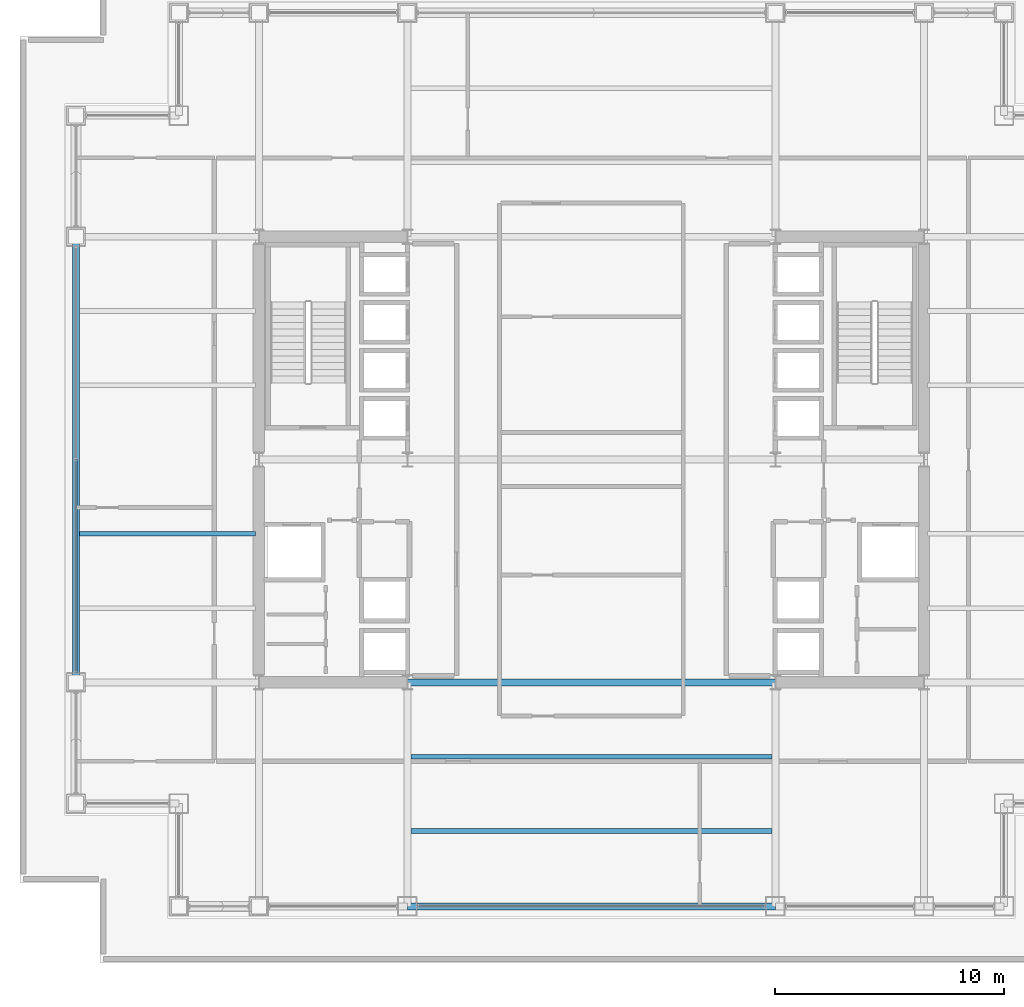
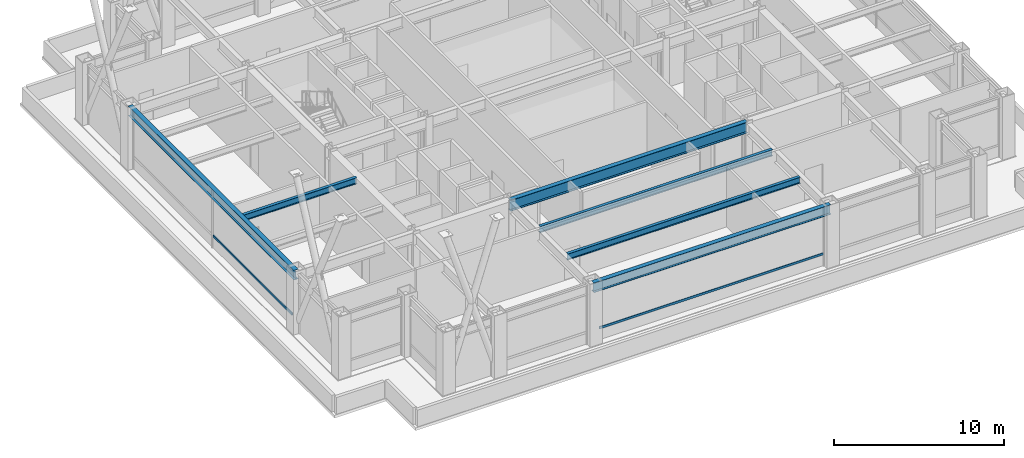
# One storey, part 7 of 32: 6 beams, 2 members, 2 elements without a shape of their own.
"""IFC4 building model written with IfcOpenShell, lengths in metres."""

from ifc_helpers import new_model, si_unit, direction, frame, origin, origin_2d, place, context, subcontext, project, spatial, hollow_rectangle, i_section, extrude, material, layer, layer_set, material_profile, profile_set, type_object, element, aggregate, save


model = new_model("IFC4")

# Units and contexts
model_context = context("Model", 3, precision=1e-05, world=origin(), true_north=direction((0.0, 1.0)))
body_context = subcontext(model_context, "Body", "Model", "MODEL_VIEW")
ifc_project = project(units=[si_unit("LENGTHUNIT", "METRE"), si_unit("AREAUNIT", "SQUARE_METRE"), si_unit("VOLUMEUNIT", "CUBIC_METRE"), si_unit("PLANEANGLEUNIT", "RADIAN"), si_unit("MASSUNIT", "GRAM", prefix="KILO")], contexts=[model_context])

# Site, building, storey
site_placement = place(None, origin())
site = spatial("IfcSite", under=ifc_project, at=site_placement, CompositionType="ELEMENT")
building_placement = place(site_placement, origin())
building = spatial("IfcBuilding", under=site, at=building_placement, Name="Brelmoor Portico Tower", CompositionType="ELEMENT")
storey_placement = place(building_placement, frame((0.0, 0.0, 87.300048828125)))
storey = spatial("IfcBuildingStorey", under=building, at=storey_placement, Name="L22", CompositionType="ELEMENT", Elevation=87.300048828125)

# Beams
ifc_material_1 = material(Name="Steel Q355B", Category="steel")
ifc_material_profile_1 = material_profile(ifc_material_1, i_section(OverallWidth=0.199951171875, OverallDepth=0.449951171875, WebThickness=0.009033203125, FlangeThickness=0.013916015625, at=origin_2d()), Name="HN 450x200x9x14")
ifc_profile_set_1 = profile_set([ifc_material_profile_1], Name="Steel Q355B")
beam_type_1 = type_object("IfcBeamType", Name="BM-JS-450", PredefinedType="JOIST", material=ifc_profile_set_1)
for number, where, z_axis, x_axis, name in (
    (1, (-7.89990234375, -16.25, 4.074951171875), (1.0, 0.0, 0.0), (0.0, 1.0, 0.0), "L22 Secondary Composite Joist JS-C01"),
    (2, (-7.89990234375, -13.0, 4.074951171875), (1.0, 0.0, 0.0), (0.0, 1.0, 0.0), "L22 Secondary Composite Joist JS-C02"),
):
    element("IfcBeam", number, at=place(storey_placement, frame(where, z_axis=z_axis, x_axis=x_axis)), inside=storey, type_object=beam_type_1, Name=name, PredefinedType="JOIST", context=body_context, shape_type="SweptSolid", body=[
        extrude(i_section(OverallWidth=0.199951171875, OverallDepth=0.449951171875, WebThickness=0.009033203125, FlangeThickness=0.013916015625, at=origin_2d()), origin(), (0.0, 0.0, 1.0), 15.7998046875),
    ])
beam_1_placement = place(storey_placement, frame((-22.39990234375, -3.25, 4.074951171875), z_axis=(1.0, 0.0, 0.0), x_axis=(0.0, 1.0, 0.0)))
element("IfcBeam", 3, at=beam_1_placement, inside=storey, type_object=beam_type_1, Name="L22 Secondary Wing Joist JS-W06", PredefinedType="JOIST", context=body_context, shape_type="SweptSolid", body=[
    extrude(i_section(OverallWidth=0.199951171875, OverallDepth=0.449951171875, WebThickness=0.009033203125, FlangeThickness=0.013916015625, at=origin_2d()), origin(), (0.0, 0.0, 1.0), 7.699951171875),
])
ifc_material_profile_2 = material_profile(ifc_material_1, i_section(OverallWidth=0.300048828125, OverallDepth=0.800048828125, WebThickness=0.013916015625, FlangeThickness=0.02587890625, at=origin_2d()), Name="HN 800x300x14x26")
ifc_profile_set_2 = profile_set([ifc_material_profile_2], Name="Steel Q355B")
beam_type_2 = type_object("IfcBeamType", Name="BM-PG-800", PredefinedType="BEAM", material=ifc_profile_set_2)
beam_2_placement = place(storey_placement, frame((-8.050048828125, -9.75, 3.89990234375), z_axis=(1.0, 0.0, 0.0), x_axis=(0.0, 1.0, 0.0)))
element("IfcBeam", 4, at=beam_2_placement, inside=storey, type_object=beam_type_2, Name="L22 Primary Floor Girder PG-15", PredefinedType="BEAM", context=body_context, shape_type="SweptSolid", body=[
    extrude(i_section(OverallWidth=0.300048828125, OverallDepth=0.800048828125, WebThickness=0.013916015625, FlangeThickness=0.02587890625, at=origin_2d()), origin(), (0.0, 0.0, 1.0), 16.10009765625),
])
ifc_material_profile_3 = material_profile(ifc_material_1, i_section(OverallWidth=0.300048828125, OverallDepth=0.699951171875, WebThickness=0.012939453125, FlangeThickness=0.02392578125, at=origin_2d()), Name="HN 700x300x13x24")
ifc_profile_set_3 = profile_set([ifc_material_profile_3], Name="Steel Q355B")
beam_type_3 = type_object("IfcBeamType", Name="BM-SP-700", PredefinedType="SPANDREL", material=ifc_profile_set_3)
beam_3_placement = place(storey_placement, frame((-8.050048828125, -19.550048828125, 3.949951171875), z_axis=(1.0, 0.0, 0.0), x_axis=(0.0, 1.0, 0.0)))
element("IfcBeam", 5, at=beam_3_placement, inside=storey, type_object=beam_type_3, Name="L22 Perimeter Spandrel Beam SP-03", PredefinedType="SPANDREL", context=body_context, shape_type="SweptSolid", body=[
    extrude(i_section(OverallWidth=0.300048828125, OverallDepth=0.699951171875, WebThickness=0.012939453125, FlangeThickness=0.02392578125, at=origin_2d()), origin(), (0.0, 0.0, 1.0), 16.10009765625),
])
beam_4_placement = place(storey_placement, frame((-22.550048828125, -9.75, 3.949951171875), z_axis=(0.0, 1.0, 0.0), x_axis=(-1.0, 0.0, 0.0)))
element("IfcBeam", 6, at=beam_4_placement, inside=storey, type_object=beam_type_3, Name="L22 Perimeter Spandrel Beam SP-16", PredefinedType="SPANDREL", context=body_context, shape_type="SweptSolid", body=[
    extrude(i_section(OverallWidth=0.300048828125, OverallDepth=0.699951171875, WebThickness=0.012939453125, FlangeThickness=0.02392578125, at=origin_2d()), origin(), (0.0, 0.0, 1.0), 19.5),
])

# Curtain wall, member
ifc_material_2 = material(Name="Anodised Aluminium Alloy 6063-T6", Category="aluminium")
ifc_layer = layer(ifc_material_2, 0.179931640625)
ifc_layer_set = layer_set([ifc_layer], Name="Anodised Aluminium Alloy 6063-T6")
curtain_wall_type = type_object("IfcCurtainWallType", Name="CW-SKYLOBBY", PredefinedType="NOTDEFINED", material=ifc_layer_set)
curtain_wall_1_placement = place(storey_placement, origin())
curtain_wall_1 = element("IfcCurtainWall", 7, at=curtain_wall_1_placement, inside=storey, type_object=curtain_wall_type, Name="L22 Curtain Wall CW-L22-01-3", PredefinedType="NOTDEFINED")
ifc_material_profile_4 = material_profile(ifc_material_2, hollow_rectangle(XDim=0.070068359375, YDim=0.159912109375, WallThickness=0.00390625, at=origin_2d()), Name="ALU TRANSOM 70x160")
ifc_profile_set_4 = profile_set([ifc_material_profile_4], Name="Anodised Aluminium Alloy 6063-T6")
member_type = type_object("IfcMemberType", Name="MB-CW-TRAN-160", PredefinedType="USERDEFINED", material=ifc_profile_set_4)
member_1_placement = place(storey_placement, frame((-7.614990234375, -19.550048828125, 0.849853515625), z_axis=(1.0, 0.0, 0.0), x_axis=(0.0, 1.0, 0.0)))
member_1 = element("IfcMember", 8, at=member_1_placement, type_object=member_type, Name="CW-L22-01-3 Transom 1-00", ObjectType="TRANSOM", PredefinedType="USERDEFINED", context=body_context, shape_type="SweptSolid", body=[
    extrude(hollow_rectangle(XDim=0.070068359375, YDim=0.159912109375, WallThickness=0.00390625, at=origin_2d()), origin(), (0.0, 0.0, 1.0), 15.22998046875),
])
aggregate(curtain_wall_1, [member_1])

curtain_wall_2_placement = place(storey_placement, origin())
curtain_wall_2 = element("IfcCurtainWall", 9, at=curtain_wall_2_placement, inside=storey, type_object=curtain_wall_type, Name="L22 Curtain Wall CW-L22-03-2", PredefinedType="NOTDEFINED")
member_2_placement = place(storey_placement, frame((-22.550048828125, -9.31494140625, 0.849853515625), z_axis=(0.0, 1.0, 0.0), x_axis=(-1.0, 0.0, 0.0)))
member_2 = element("IfcMember", 10, at=member_2_placement, type_object=member_type, Name="CW-L22-03-2 Transom 1-00", ObjectType="TRANSOM", PredefinedType="USERDEFINED", context=body_context, shape_type="SweptSolid", body=[
    extrude(hollow_rectangle(XDim=0.070068359375, YDim=0.159912109375, WallThickness=0.00390625, at=origin_2d()), origin(), (0.0, 0.0, 1.0), 9.31494140625),
])
aggregate(curtain_wall_2, [member_2])

save(model, "model.ifc")
